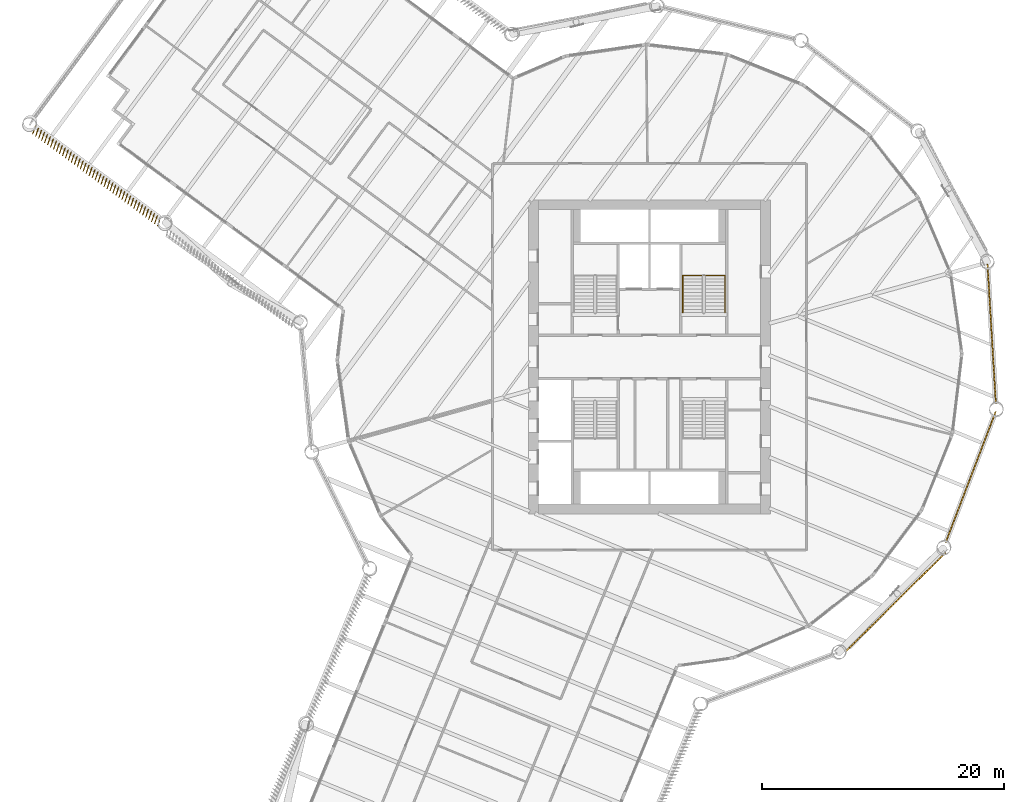
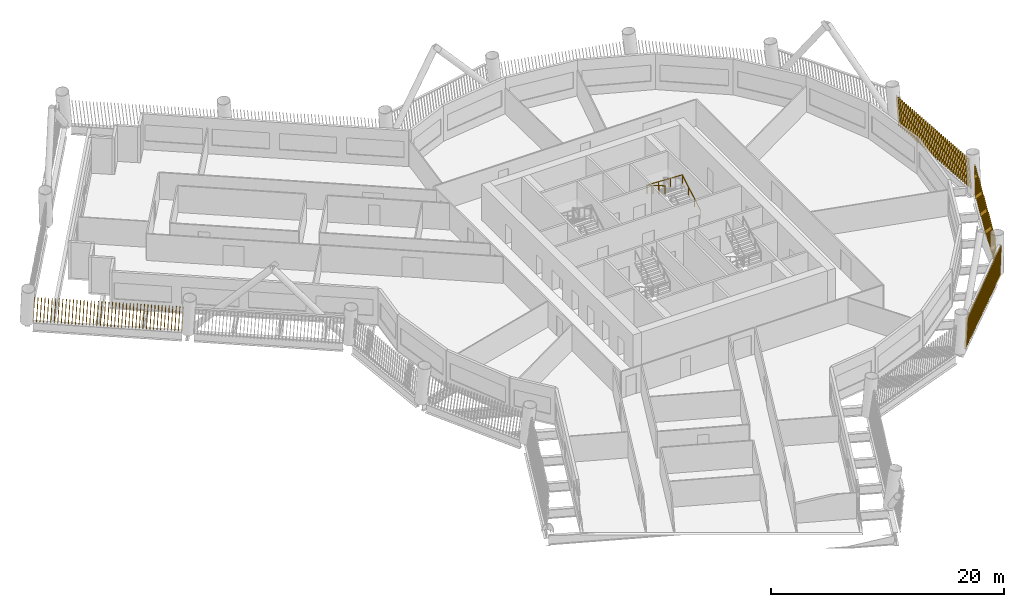
# One storey, part 20 of 23: 4 shading devices, 1 railing.
"""IFC4 building model written with IfcOpenShell, lengths in metres."""

import ifcopenshell
import ifcopenshell.guid

model = None  # the IFC model being written
_history = None  # IfcOwnerHistory: only IFC2X3 demands one
_inside = {}  # id of a spatial element -> (the spatial element, [elements in it])
_under = {}  # id of a project, library or spatial element -> (it, [spatial elements below it])
_declared = {}  # id of a project -> (the project, [libraries it declares])
_typed = {}  # id of a type object -> (the type object, [elements of that type])
_made_of = {}  # id of a material, layer set ... -> (it, [elements and type objects made of it])


def new_model(schema):
    """Start an empty IFC model of exactly this schema.

    Asked for "IFC4X3", IfcOpenShell would pick the latest addendum, in which some entities
    have other attributes; the version numbers below select the first issue.
    IFC2X3 requires an IfcOwnerHistory on every rooted entity: one is made here for all.
    """
    global model, _history
    if schema == "IFC4X3":
        model = ifcopenshell.file(schema_version=(4, 3, 0, 0))
    else:
        model = ifcopenshell.file(schema=schema)
    _inside.clear()
    _under.clear()
    _declared.clear()
    _typed.clear()
    _made_of.clear()
    _history = None
    if model.schema == "IFC2X3":
        org = make("IfcOrganization", Name="unknown")
        user = make(
            "IfcPersonAndOrganization",
            ThePerson=make("IfcPerson", FamilyName="unknown"),
            TheOrganization=org,
        )
        app = make(
            "IfcApplication",
            ApplicationDeveloper=org,
            Version="unknown",
            ApplicationFullName="unknown",
            ApplicationIdentifier="unknown",
        )
        _history = make(
            "IfcOwnerHistory",
            OwningUser=user,
            OwningApplication=app,
            ChangeAction="ADDED",
            CreationDate=0,
        )
    return model


def make(cls, **values):
    """One entity of the class cls with the attributes given. An attribute that is None is left unset."""
    return model.create_entity(
        cls, **{name: value for name, value in values.items() if value is not None}
    )


def rooted(cls, **values):
    """An entity with a GlobalId (a new one), such as an element, a storey or a relation."""
    return make(cls, GlobalId=ifcopenshell.guid.new(), OwnerHistory=_history, **values)


def si_unit(unit_type, name, prefix=None):
    """IfcSIUnit, for example si_unit("LENGTHUNIT", "METRE", prefix="MILLI")."""
    return make("IfcSIUnit", UnitType=unit_type, Prefix=prefix, Name=name)


def assignment(units):
    """IfcUnitAssignment: the units of a project."""
    return None if units is None else make("IfcUnitAssignment", Units=units)


def point(xyz):
    """IfcCartesianPoint."""
    return None if xyz is None else make("IfcCartesianPoint", Coordinates=xyz)


def direction(xyz):
    """IfcDirection."""
    return None if xyz is None else make("IfcDirection", DirectionRatios=xyz)


def frame(location, z_axis=None, x_axis=None):
    """IfcAxis2Placement3D, a coordinate frame: its origin and axes. An axis left out is left unset."""
    return make(
        "IfcAxis2Placement3D",
        Location=point(location),
        Axis=direction(z_axis),
        RefDirection=direction(x_axis),
    )


def frame_2d(location, x_axis=None):
    """IfcAxis2Placement2D, a coordinate frame in the plane: its origin and x axis."""
    return make(
        "IfcAxis2Placement2D", Location=point(location), RefDirection=direction(x_axis)
    )


def origin():
    """The frame at (0, 0, 0) with its axes left unset."""
    return frame((0.0, 0.0, 0.0))


def origin_2d():
    """The frame at (0, 0) in the plane with its x axis left unset."""
    return frame_2d((0.0, 0.0))


def place(relative_to, where):
    """IfcLocalPlacement: puts the frame where relative to a parent placement (None: the world)."""
    return make(
        "IfcLocalPlacement", PlacementRelTo=relative_to, RelativePlacement=where
    )


def context(
    kind, dimensions, precision=None, world=None, true_north=None, identifier=None
):
    """IfcGeometricRepresentationContext, for example the 3D "Model" context."""
    return make(
        "IfcGeometricRepresentationContext",
        ContextIdentifier=identifier,
        ContextType=kind,
        CoordinateSpaceDimension=dimensions,
        Precision=precision,
        WorldCoordinateSystem=world,
        TrueNorth=true_north,
    )


def subcontext(parent, identifier, kind, view, scale=None):
    """IfcGeometricRepresentationSubContext, for example "Body" below "Model"."""
    return make(
        "IfcGeometricRepresentationSubContext",
        ContextIdentifier=identifier,
        ContextType=kind,
        ParentContext=parent,
        TargetScale=scale,
        TargetView=view,
    )


def project(units=None, contexts=None):
    """IfcProject with its units and contexts."""
    return rooted(
        "IfcProject",
        Name="project",
        RepresentationContexts=contexts,
        UnitsInContext=assignment(units),
    )


def spatial(cls, under=None, at=None, **own):
    """A site, building, storey or space (cls), placed at a placement, below another one or the project."""
    s = rooted(cls, ObjectPlacement=at, **own)
    if under is not None:
        _under.setdefault(under.id(), (under, []))[1].append(s)
    return s


def profile(cls, at=None, kind="AREA", **sizes):
    """A parametric profile (cls). Its sizes go by their IFC names, for example OverallWidth=200.0."""
    return make(cls, ProfileType=kind, Position=at, **sizes)


def rectangle(**sizes):
    """IfcRectangleProfileDef."""
    return profile("IfcRectangleProfileDef", **sizes)


def circle(**sizes):
    """IfcCircleProfileDef."""
    return profile("IfcCircleProfileDef", **sizes)


def composite_profile(profiles, kind="AREA"):
    """IfcCompositeProfileDef: several profiles as one."""
    return make("IfcCompositeProfileDef", ProfileType=kind, Profiles=profiles)


def extrude(swept, where, along, depth):
    """IfcExtrudedAreaSolid: the profile swept, set in the frame where, extruded along a direction by depth."""
    return make(
        "IfcExtrudedAreaSolid",
        SweptArea=swept,
        Position=where,
        ExtrudedDirection=direction(along),
        Depth=depth,
    )


def shape(context_of_items, identifier, shape_type, items):
    """IfcShapeRepresentation: the items that make up one representation, for example the "Body"."""
    return make(
        "IfcShapeRepresentation",
        ContextOfItems=context_of_items,
        RepresentationIdentifier=identifier,
        RepresentationType=shape_type,
        Items=items,
    )


def material(Name=None, Category=None):
    """IfcMaterial."""
    return make("IfcMaterial", Name=Name, Category=Category)


def made_of(thing, what):
    """Note that an element or type object is made of a material, layer set ...; save() writes the relation."""
    if what is not None:
        _made_of.setdefault(what.id(), (what, []))[1].append(thing)
    return thing


def type_object(cls, material=None, **own):
    """A type object (cls), such as IfcWallType, which elements share."""
    return made_of(rooted(cls, **own), material)


def element(
    cls,
    number,
    at=None,
    inside=None,
    cuts=None,
    type_object=None,
    material=None,
    context=None,
    identifier="Body",
    shape_type=None,
    held_by="IfcProductDefinitionShape",
    body=None,
    shapes=None,
    **own,
):
    """One element of the class cls, such as IfcWall. Its Tag is "e" and its number.

    at: its placement. inside: the storey or other place that contains it. cuts: it is an
    opening in that element (IfcRelVoidsElement). A single representation is given by context,
    identifier, shape_type and body (its items); several are given by shapes. held_by: the class
    of the entity that holds the representations. save() writes the other relations.
    """
    e = rooted(cls, Tag="e%d" % number, ObjectPlacement=at, **own)
    if body is not None:
        shapes = [shape(context, identifier, shape_type, body)]
    if shapes is not None:
        e.Representation = make(held_by, Representations=shapes)
    if inside is not None:
        _inside.setdefault(inside.id(), (inside, []))[1].append(e)
    if cuts is not None:
        rooted(
            "IfcRelVoidsElement", RelatingBuildingElement=cuts, RelatedOpeningElement=e
        )
    if type_object is not None:
        _typed.setdefault(type_object.id(), (type_object, []))[1].append(e)
    return made_of(e, material)


def aggregate(whole, parts):
    """IfcRelAggregates: a whole, such as a stair, and the parts it consists of."""
    return rooted("IfcRelAggregates", RelatingObject=whole, RelatedObjects=parts)


def save(model, path):
    """Write the relations noted so far, then the file.

    IfcRelAggregates (storeys below a building ...), IfcRelContainedInSpatialStructure (elements
    in a storey), IfcRelDefinesByType, IfcRelAssociatesMaterial and IfcRelDeclares: one each for
    every whole, place, type object, material and project.
    """
    for whole, parts in _under.values():
        aggregate(whole, parts)
    for where, things in _inside.values():
        rooted(
            "IfcRelContainedInSpatialStructure",
            RelatedElements=things,
            RelatingStructure=where,
        )
    for kind, things in _typed.values():
        rooted("IfcRelDefinesByType", RelatedObjects=things, RelatingType=kind)
    for what, things in _made_of.values():
        rooted("IfcRelAssociatesMaterial", RelatedObjects=things, RelatingMaterial=what)
    for by, libraries in _declared.values():
        rooted("IfcRelDeclares", RelatingContext=by, RelatedDefinitions=libraries)
    model.write(path)


model = new_model("IFC4")

# Units and contexts
model_context = context("Model", 3, precision=1e-05, world=origin(), true_north=direction((0.0, 1.0)))
body_context = subcontext(model_context, "Body", "Model", "MODEL_VIEW")
ifc_project = project(units=[si_unit("LENGTHUNIT", "METRE"), si_unit("AREAUNIT", "SQUARE_METRE"), si_unit("VOLUMEUNIT", "CUBIC_METRE"), si_unit("PLANEANGLEUNIT", "RADIAN"), si_unit("MASSUNIT", "GRAM", prefix="KILO")], contexts=[model_context])

# Site, building, storey
site_placement = place(None, origin())
site = spatial("IfcSite", under=ifc_project, at=site_placement, CompositionType="ELEMENT")
building_placement = place(site_placement, origin())
building = spatial("IfcBuilding", under=site, at=building_placement, Name="Tarsis Ring Headquarters", CompositionType="ELEMENT")
storey_placement = place(building_placement, frame((0.0, 0.0, 124.0)))
storey = spatial("IfcBuildingStorey", under=building, at=storey_placement, Name="L28", CompositionType="ELEMENT", Elevation=124.0)

# Railing
ifc_material_1 = material(Name="Steel S355", Category="steel")
railing_type = type_object("IfcRailingType", Name="Core stair handrail 900", PredefinedType="HANDRAIL", material=ifc_material_1)
railing_placement = place(storey_placement, frame((6.25, 3.659912109375, 0.16259765625)))
element("IfcRailing", 1, at=railing_placement, inside=storey, type_object=railing_type, Name="L28 ST2 stair handrail 1", PredefinedType="HANDRAIL", context=body_context, shape_type="SweptSolid", body=[
    extrude(circle(Radius=0.02392578125, at=origin_2d()), frame((0.0, 0.0, 0.8759765625), z_axis=(0.0, 0.864920483161, 0.501908913857), x_axis=(-1.0, 0.0, 0.0)), (0.0, 0.0, 1.0), 3.56103515625),
    extrude(circle(Radius=0.02392578125, at=origin_2d()), frame((0.0, 3.080078125, 2.6630859375), z_axis=(-0.998922641604, 0.0, 0.046406422943), x_axis=(0.0, -1.0, 0.0)), (0.0, 0.0, 1.0), 3.503662109375),
    extrude(circle(Radius=0.02392578125, at=origin_2d()), frame((-3.5, 3.080078125, 2.82568359375), z_axis=(0.0, -0.864920483161, 0.501908913857), x_axis=(1.0, 0.0, 0.0)), (0.0, 0.0, 1.0), 3.56103515625),
    extrude(circle(Radius=0.02099609375, at=origin_2d()), origin(), (0.0, 0.0, 1.0), 0.851806640625),
    extrude(circle(Radius=0.02099609375, at=origin_2d()), frame((0.0, 1.026611328125, 0.595703125)), (0.0, 0.0, 1.0), 0.851806640625),
    extrude(circle(Radius=0.02099609375, at=origin_2d()), frame((0.0, 2.053466796875, 1.191650390625)), (0.0, 0.0, 1.0), 0.851806640625),
    extrude(circle(Radius=0.02099609375, at=origin_2d()), frame((0.0, 3.080078125, 1.787353515625)), (0.0, 0.0, 1.0), 0.851806640625),
    extrude(circle(Radius=0.02099609375, at=origin_2d()), frame((-1.166748046875, 3.080078125, 1.841552734375)), (0.0, 0.0, 1.0), 0.851806640625),
    extrude(circle(Radius=0.02099609375, at=origin_2d()), frame((-2.333251953125, 3.080078125, 1.895751953125)), (0.0, 0.0, 1.0), 0.851806640625),
    extrude(circle(Radius=0.02099609375, at=origin_2d()), frame((-3.5, 3.080078125, 1.949951171875)), (0.0, 0.0, 1.0), 0.851806640625),
    extrude(circle(Radius=0.02099609375, at=origin_2d()), frame((-3.5, 2.053466796875, 2.545654296875)), (0.0, 0.0, 1.0), 0.851806640625),
    extrude(circle(Radius=0.02099609375, at=origin_2d()), frame((-3.5, 1.026611328125, 3.1416015625)), (0.0, 0.0, 1.0), 0.851806640625),
    extrude(circle(Radius=0.02099609375, at=origin_2d()), frame((-3.5, 0.0, 3.7373046875)), (0.0, 0.0, 1.0), 0.851806640625),
])

# Shading devices
ifc_material_2 = material(Name="Terracotta baguette", Category="masonry")
shading_device_type = type_object("IfcShadingDeviceType", Name="Terracotta baguette screen", PredefinedType="USERDEFINED", material=ifc_material_2)
shading_device_1_placement = place(storey_placement, frame((16.2578125, -24.393798828125, 0.0), z_axis=(0.0, 0.0, 1.0), x_axis=(0.710261307405, 0.703923951732, 0.0)))
element("IfcShadingDevice", 2, at=shading_device_1_placement, inside=storey, type_object=shading_device_type, Name="Baguette screen L28-08", ObjectType="Terracotta baguette screen", PredefinedType="USERDEFINED", context=body_context, shape_type="SweptSolid", body=[
    extrude(composite_profile([rectangle(XDim=0.06005859375, YDim=0.1201171875, at=frame_2d((0.030029296875, 0.0))), rectangle(XDim=0.06005859375, YDim=0.1201171875, at=frame_2d((0.33251953125, 0.0))), rectangle(XDim=0.06005859375, YDim=0.1201171875, at=frame_2d((0.634765625, 0.0))), rectangle(XDim=0.06005859375, YDim=0.1201171875, at=frame_2d((0.937255859375, 0.0))), rectangle(XDim=0.06005859375, YDim=0.1201171875, at=frame_2d((1.239501953125, 0.0))), rectangle(XDim=0.06005859375, YDim=0.1201171875, at=frame_2d((1.5419921875, 0.0))), rectangle(XDim=0.06005859375, YDim=0.1201171875, at=frame_2d((1.844482421875, 0.0))), rectangle(XDim=0.06005859375, YDim=0.1201171875, at=frame_2d((2.146728515625, 0.0))), rectangle(XDim=0.06005859375, YDim=0.1201171875, at=frame_2d((2.44921875, 0.0))), rectangle(XDim=0.06005859375, YDim=0.1201171875, at=frame_2d((2.751708984375, 0.0))), rectangle(XDim=0.06005859375, YDim=0.1201171875, at=frame_2d((3.053955078125, 0.0))), rectangle(XDim=0.06005859375, YDim=0.1201171875, at=frame_2d((3.3564453125, 0.0))), rectangle(XDim=0.06005859375, YDim=0.1201171875, at=frame_2d((3.65869140625, 0.0))), rectangle(XDim=0.06005859375, YDim=0.1201171875, at=frame_2d((3.961181640625, 0.0))), rectangle(XDim=0.06005859375, YDim=0.1201171875, at=frame_2d((4.263671875, 0.0))), rectangle(XDim=0.06005859375, YDim=0.1201171875, at=frame_2d((4.56591796875, 0.0))), rectangle(XDim=0.06005859375, YDim=0.1201171875, at=frame_2d((4.868408203125, 0.0))), rectangle(XDim=0.06005859375, YDim=0.1201171875, at=frame_2d((5.1708984375, 0.0))), rectangle(XDim=0.06005859375, YDim=0.1201171875, at=frame_2d((5.47314453125, 0.0))), rectangle(XDim=0.06005859375, YDim=0.1201171875, at=frame_2d((5.775634765625, 0.0))), rectangle(XDim=0.06005859375, YDim=0.1201171875, at=frame_2d((6.077880859375, 0.0))), rectangle(XDim=0.06005859375, YDim=0.1201171875, at=frame_2d((6.38037109375, 0.0))), rectangle(XDim=0.06005859375, YDim=0.1201171875, at=frame_2d((6.682861328125, 0.0))), rectangle(XDim=0.06005859375, YDim=0.1201171875, at=frame_2d((6.985107421875, 0.0))), rectangle(XDim=0.06005859375, YDim=0.1201171875, at=frame_2d((7.28759765625, 0.0))), rectangle(XDim=0.06005859375, YDim=0.1201171875, at=frame_2d((7.590087890625, 0.0))), rectangle(XDim=0.06005859375, YDim=0.1201171875, at=frame_2d((7.892333984375, 0.0))), rectangle(XDim=0.06005859375, YDim=0.1201171875, at=frame_2d((8.19482421875, 0.0))), rectangle(XDim=0.06005859375, YDim=0.1201171875, at=frame_2d((8.4970703125, 0.0))), rectangle(XDim=0.06005859375, YDim=0.1201171875, at=frame_2d((8.799560546875, 0.0))), rectangle(XDim=0.06005859375, YDim=0.1201171875, at=frame_2d((9.10205078125, 0.0))), rectangle(XDim=0.06005859375, YDim=0.1201171875, at=frame_2d((9.404296875, 0.0))), rectangle(XDim=0.06005859375, YDim=0.1201171875, at=frame_2d((9.706787109375, 0.0))), rectangle(XDim=0.06005859375, YDim=0.1201171875, at=frame_2d((10.00927734375, 0.0))), rectangle(XDim=0.06005859375, YDim=0.1201171875, at=frame_2d((10.3115234375, 0.0))), rectangle(XDim=0.06005859375, YDim=0.1201171875, at=frame_2d((10.614013671875, 0.0))), rectangle(XDim=0.06005859375, YDim=0.1201171875, at=frame_2d((10.916259765625, 0.0))), rectangle(XDim=0.06005859375, YDim=0.1201171875, at=frame_2d((11.21875, 0.0)))]), origin(), (0.131493630181, 0.000896222286, 0.991316610376), 2.978515625),
])
shading_device_2_placement = place(storey_placement, frame((24.51708984375, -15.389892578125, 0.0), z_axis=(0.0, 0.0, 1.0), x_axis=(0.356969223423, 0.934127707601, 0.0)))
element("IfcShadingDevice", 3, at=shading_device_2_placement, inside=storey, type_object=shading_device_type, Name="Baguette screen L28-09", ObjectType="Terracotta baguette screen", PredefinedType="USERDEFINED", context=body_context, shape_type="SweptSolid", body=[
    extrude(composite_profile([rectangle(XDim=0.06005859375, YDim=0.1201171875, at=frame_2d((0.030029296875, 0.0))), rectangle(XDim=0.06005859375, YDim=0.1201171875, at=frame_2d((0.33251953125, 0.0))), rectangle(XDim=0.06005859375, YDim=0.1201171875, at=frame_2d((0.634765625, 0.0))), rectangle(XDim=0.06005859375, YDim=0.1201171875, at=frame_2d((0.937255859375, 0.0))), rectangle(XDim=0.06005859375, YDim=0.1201171875, at=frame_2d((1.239501953125, 0.0))), rectangle(XDim=0.06005859375, YDim=0.1201171875, at=frame_2d((1.5419921875, 0.0))), rectangle(XDim=0.06005859375, YDim=0.1201171875, at=frame_2d((1.844482421875, 0.0))), rectangle(XDim=0.06005859375, YDim=0.1201171875, at=frame_2d((2.146728515625, 0.0))), rectangle(XDim=0.06005859375, YDim=0.1201171875, at=frame_2d((2.44921875, 0.0))), rectangle(XDim=0.06005859375, YDim=0.1201171875, at=frame_2d((2.751708984375, 0.0))), rectangle(XDim=0.06005859375, YDim=0.1201171875, at=frame_2d((3.053955078125, 0.0))), rectangle(XDim=0.06005859375, YDim=0.1201171875, at=frame_2d((3.3564453125, 0.0))), rectangle(XDim=0.06005859375, YDim=0.1201171875, at=frame_2d((3.65869140625, 0.0))), rectangle(XDim=0.06005859375, YDim=0.1201171875, at=frame_2d((3.961181640625, 0.0))), rectangle(XDim=0.06005859375, YDim=0.1201171875, at=frame_2d((4.263671875, 0.0))), rectangle(XDim=0.06005859375, YDim=0.1201171875, at=frame_2d((4.56591796875, 0.0))), rectangle(XDim=0.06005859375, YDim=0.1201171875, at=frame_2d((4.868408203125, 0.0))), rectangle(XDim=0.06005859375, YDim=0.1201171875, at=frame_2d((5.1708984375, 0.0))), rectangle(XDim=0.06005859375, YDim=0.1201171875, at=frame_2d((5.47314453125, 0.0))), rectangle(XDim=0.06005859375, YDim=0.1201171875, at=frame_2d((5.775634765625, 0.0))), rectangle(XDim=0.06005859375, YDim=0.1201171875, at=frame_2d((6.077880859375, 0.0))), rectangle(XDim=0.06005859375, YDim=0.1201171875, at=frame_2d((6.38037109375, 0.0))), rectangle(XDim=0.06005859375, YDim=0.1201171875, at=frame_2d((6.682861328125, 0.0))), rectangle(XDim=0.06005859375, YDim=0.1201171875, at=frame_2d((6.985107421875, 0.0))), rectangle(XDim=0.06005859375, YDim=0.1201171875, at=frame_2d((7.28759765625, 0.0))), rectangle(XDim=0.06005859375, YDim=0.1201171875, at=frame_2d((7.590087890625, 0.0))), rectangle(XDim=0.06005859375, YDim=0.1201171875, at=frame_2d((7.892333984375, 0.0))), rectangle(XDim=0.06005859375, YDim=0.1201171875, at=frame_2d((8.19482421875, 0.0))), rectangle(XDim=0.06005859375, YDim=0.1201171875, at=frame_2d((8.4970703125, 0.0))), rectangle(XDim=0.06005859375, YDim=0.1201171875, at=frame_2d((8.799560546875, 0.0))), rectangle(XDim=0.06005859375, YDim=0.1201171875, at=frame_2d((9.10205078125, 0.0))), rectangle(XDim=0.06005859375, YDim=0.1201171875, at=frame_2d((9.404296875, 0.0))), rectangle(XDim=0.06005859375, YDim=0.1201171875, at=frame_2d((9.706787109375, 0.0))), rectangle(XDim=0.06005859375, YDim=0.1201171875, at=frame_2d((10.00927734375, 0.0))), rectangle(XDim=0.06005859375, YDim=0.1201171875, at=frame_2d((10.3115234375, 0.0))), rectangle(XDim=0.06005859375, YDim=0.1201171875, at=frame_2d((10.614013671875, 0.0))), rectangle(XDim=0.06005859375, YDim=0.1201171875, at=frame_2d((10.916259765625, 0.0))), rectangle(XDim=0.06005859375, YDim=0.1201171875, at=frame_2d((11.21875, 0.0)))]), origin(), (0.12981161623, 0.00088407009, 0.991538281012), 2.977783203125),
])
shading_device_3_placement = place(storey_placement, frame((28.68115234375, -3.916015625, 0.0), z_axis=(0.0, 0.0, 1.0), x_axis=(-0.059815518177, 0.998198589257, 0.0)))
element("IfcShadingDevice", 4, at=shading_device_3_placement, inside=storey, type_object=shading_device_type, Name="Baguette screen L28-10", ObjectType="Terracotta baguette screen", PredefinedType="USERDEFINED", context=body_context, shape_type="SweptSolid", body=[
    extrude(composite_profile([rectangle(XDim=0.06005859375, YDim=0.1201171875, at=frame_2d((0.030029296875, 0.0))), rectangle(XDim=0.06005859375, YDim=0.1201171875, at=frame_2d((0.33251953125, 0.0))), rectangle(XDim=0.06005859375, YDim=0.1201171875, at=frame_2d((0.634765625, 0.0))), rectangle(XDim=0.06005859375, YDim=0.1201171875, at=frame_2d((0.937255859375, 0.0))), rectangle(XDim=0.06005859375, YDim=0.1201171875, at=frame_2d((1.239501953125, 0.0))), rectangle(XDim=0.06005859375, YDim=0.1201171875, at=frame_2d((1.5419921875, 0.0))), rectangle(XDim=0.06005859375, YDim=0.1201171875, at=frame_2d((1.844482421875, 0.0))), rectangle(XDim=0.06005859375, YDim=0.1201171875, at=frame_2d((2.146728515625, 0.0))), rectangle(XDim=0.06005859375, YDim=0.1201171875, at=frame_2d((2.44921875, 0.0))), rectangle(XDim=0.06005859375, YDim=0.1201171875, at=frame_2d((2.751708984375, 0.0))), rectangle(XDim=0.06005859375, YDim=0.1201171875, at=frame_2d((3.053955078125, 0.0))), rectangle(XDim=0.06005859375, YDim=0.1201171875, at=frame_2d((3.3564453125, 0.0))), rectangle(XDim=0.06005859375, YDim=0.1201171875, at=frame_2d((3.65869140625, 0.0))), rectangle(XDim=0.06005859375, YDim=0.1201171875, at=frame_2d((3.961181640625, 0.0))), rectangle(XDim=0.06005859375, YDim=0.1201171875, at=frame_2d((4.263671875, 0.0))), rectangle(XDim=0.06005859375, YDim=0.1201171875, at=frame_2d((4.56591796875, 0.0))), rectangle(XDim=0.06005859375, YDim=0.1201171875, at=frame_2d((4.868408203125, 0.0))), rectangle(XDim=0.06005859375, YDim=0.1201171875, at=frame_2d((5.1708984375, 0.0))), rectangle(XDim=0.06005859375, YDim=0.1201171875, at=frame_2d((5.47314453125, 0.0))), rectangle(XDim=0.06005859375, YDim=0.1201171875, at=frame_2d((5.775634765625, 0.0))), rectangle(XDim=0.06005859375, YDim=0.1201171875, at=frame_2d((6.077880859375, 0.0))), rectangle(XDim=0.06005859375, YDim=0.1201171875, at=frame_2d((6.38037109375, 0.0))), rectangle(XDim=0.06005859375, YDim=0.1201171875, at=frame_2d((6.682861328125, 0.0))), rectangle(XDim=0.06005859375, YDim=0.1201171875, at=frame_2d((6.985107421875, 0.0))), rectangle(XDim=0.06005859375, YDim=0.1201171875, at=frame_2d((7.28759765625, 0.0))), rectangle(XDim=0.06005859375, YDim=0.1201171875, at=frame_2d((7.590087890625, 0.0))), rectangle(XDim=0.06005859375, YDim=0.1201171875, at=frame_2d((7.892333984375, 0.0))), rectangle(XDim=0.06005859375, YDim=0.1201171875, at=frame_2d((8.19482421875, 0.0))), rectangle(XDim=0.06005859375, YDim=0.1201171875, at=frame_2d((8.4970703125, 0.0))), rectangle(XDim=0.06005859375, YDim=0.1201171875, at=frame_2d((8.799560546875, 0.0))), rectangle(XDim=0.06005859375, YDim=0.1201171875, at=frame_2d((9.10205078125, 0.0))), rectangle(XDim=0.06005859375, YDim=0.1201171875, at=frame_2d((9.404296875, 0.0))), rectangle(XDim=0.06005859375, YDim=0.1201171875, at=frame_2d((9.706787109375, 0.0))), rectangle(XDim=0.06005859375, YDim=0.1201171875, at=frame_2d((10.00927734375, 0.0))), rectangle(XDim=0.06005859375, YDim=0.1201171875, at=frame_2d((10.3115234375, 0.0))), rectangle(XDim=0.06005859375, YDim=0.1201171875, at=frame_2d((10.614013671875, 0.0))), rectangle(XDim=0.06005859375, YDim=0.1201171875, at=frame_2d((10.916259765625, 0.0))), rectangle(XDim=0.06005859375, YDim=0.1201171875, at=frame_2d((11.21875, 0.0)))]), origin(), (0.129808531305, 0.000882385878, 0.991538686384), 2.977783203125),
])
shading_device_4_placement = place(storey_placement, frame((-50.878662109375, 19.123291015625, 0.0), z_axis=(0.0, 0.0, 1.0), x_axis=(0.804908509471, -0.593411168089, 0.0)))
element("IfcShadingDevice", 5, at=shading_device_4_placement, inside=storey, type_object=shading_device_type, Name="Baguette screen L28-19", ObjectType="Terracotta baguette screen", PredefinedType="USERDEFINED", context=body_context, shape_type="SweptSolid", body=[
    extrude(composite_profile([rectangle(XDim=0.06005859375, YDim=0.1201171875, at=frame_2d((0.030029296875, 0.0))), rectangle(XDim=0.06005859375, YDim=0.1201171875, at=frame_2d((0.335693359375, 0.0))), rectangle(XDim=0.06005859375, YDim=0.1201171875, at=frame_2d((0.6416015625, 0.0))), rectangle(XDim=0.06005859375, YDim=0.1201171875, at=frame_2d((0.947265625, 0.0))), rectangle(XDim=0.06005859375, YDim=0.1201171875, at=frame_2d((1.253173828125, 0.0))), rectangle(XDim=0.06005859375, YDim=0.1201171875, at=frame_2d((1.558837890625, 0.0))), rectangle(XDim=0.06005859375, YDim=0.1201171875, at=frame_2d((1.864501953125, 0.0))), rectangle(XDim=0.06005859375, YDim=0.1201171875, at=frame_2d((2.17041015625, 0.0))), rectangle(XDim=0.06005859375, YDim=0.1201171875, at=frame_2d((2.47607421875, 0.0))), rectangle(XDim=0.06005859375, YDim=0.1201171875, at=frame_2d((2.781982421875, 0.0))), rectangle(XDim=0.06005859375, YDim=0.1201171875, at=frame_2d((3.087646484375, 0.0))), rectangle(XDim=0.06005859375, YDim=0.1201171875, at=frame_2d((3.393310546875, 0.0))), rectangle(XDim=0.06005859375, YDim=0.1201171875, at=frame_2d((3.69921875, 0.0))), rectangle(XDim=0.06005859375, YDim=0.1201171875, at=frame_2d((4.0048828125, 0.0))), rectangle(XDim=0.06005859375, YDim=0.1201171875, at=frame_2d((4.310791015625, 0.0))), rectangle(XDim=0.06005859375, YDim=0.1201171875, at=frame_2d((4.616455078125, 0.0))), rectangle(XDim=0.06005859375, YDim=0.1201171875, at=frame_2d((4.922119140625, 0.0))), rectangle(XDim=0.06005859375, YDim=0.1201171875, at=frame_2d((5.22802734375, 0.0))), rectangle(XDim=0.06005859375, YDim=0.1201171875, at=frame_2d((5.53369140625, 0.0))), rectangle(XDim=0.06005859375, YDim=0.1201171875, at=frame_2d((5.839599609375, 0.0))), rectangle(XDim=0.06005859375, YDim=0.1201171875, at=frame_2d((6.145263671875, 0.0))), rectangle(XDim=0.06005859375, YDim=0.1201171875, at=frame_2d((6.451171875, 0.0))), rectangle(XDim=0.06005859375, YDim=0.1201171875, at=frame_2d((6.7568359375, 0.0))), rectangle(XDim=0.06005859375, YDim=0.1201171875, at=frame_2d((7.0625, 0.0))), rectangle(XDim=0.06005859375, YDim=0.1201171875, at=frame_2d((7.368408203125, 0.0))), rectangle(XDim=0.06005859375, YDim=0.1201171875, at=frame_2d((7.674072265625, 0.0))), rectangle(XDim=0.06005859375, YDim=0.1201171875, at=frame_2d((7.97998046875, 0.0))), rectangle(XDim=0.06005859375, YDim=0.1201171875, at=frame_2d((8.28564453125, 0.0))), rectangle(XDim=0.06005859375, YDim=0.1201171875, at=frame_2d((8.59130859375, 0.0))), rectangle(XDim=0.06005859375, YDim=0.1201171875, at=frame_2d((8.897216796875, 0.0))), rectangle(XDim=0.06005859375, YDim=0.1201171875, at=frame_2d((9.202880859375, 0.0))), rectangle(XDim=0.06005859375, YDim=0.1201171875, at=frame_2d((9.5087890625, 0.0))), rectangle(XDim=0.06005859375, YDim=0.1201171875, at=frame_2d((9.814453125, 0.0))), rectangle(XDim=0.06005859375, YDim=0.1201171875, at=frame_2d((10.1201171875, 0.0))), rectangle(XDim=0.06005859375, YDim=0.1201171875, at=frame_2d((10.426025390625, 0.0))), rectangle(XDim=0.06005859375, YDim=0.1201171875, at=frame_2d((10.731689453125, 0.0))), rectangle(XDim=0.06005859375, YDim=0.1201171875, at=frame_2d((11.03759765625, 0.0))), rectangle(XDim=0.06005859375, YDim=0.1201171875, at=frame_2d((11.34326171875, 0.0))), rectangle(XDim=0.06005859375, YDim=0.1201171875, at=frame_2d((11.64892578125, 0.0))), rectangle(XDim=0.06005859375, YDim=0.1201171875, at=frame_2d((11.954833984375, 0.0))), rectangle(XDim=0.06005859375, YDim=0.1201171875, at=frame_2d((12.260498046875, 0.0))), rectangle(XDim=0.06005859375, YDim=0.1201171875, at=frame_2d((12.56640625, 0.0))), rectangle(XDim=0.06005859375, YDim=0.1201171875, at=frame_2d((12.8720703125, 0.0)))]), origin(), (0.068013757761, -0.205905600353, 0.976205415114), 3.024658203125),
])

save(model, "model.ifc")
